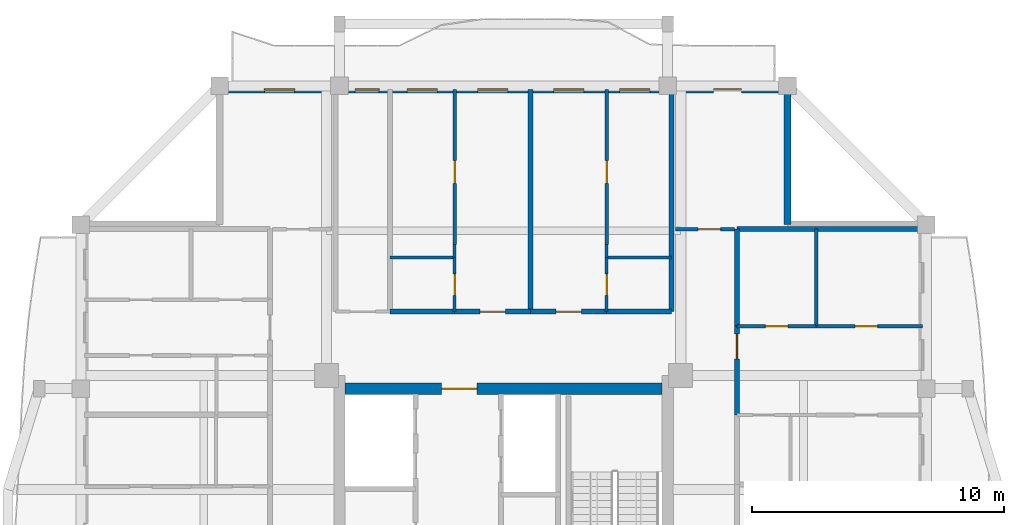
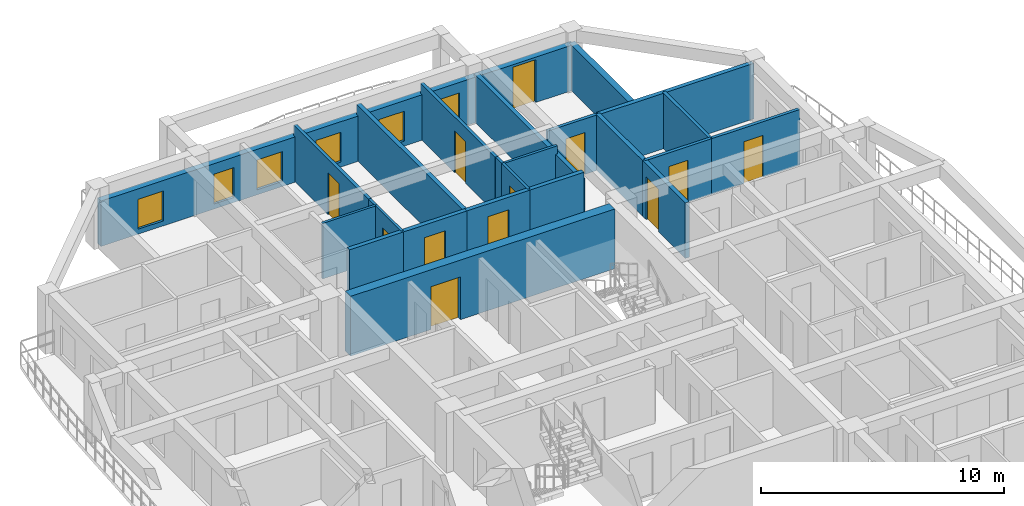
# One storey, part 7 of 14: 24 walls, 12 doors, 6 windows, 18 openings.
"""IFC4 building model written with IfcOpenShell, lengths in metres."""

from ifc_helpers import new_model, si_unit, direction, frame, frame_2d, origin, place, context, subcontext, project, spatial, rectangle, extrude, source, transform, mapped, material, layer, layer_set, type_object, element, fill, save


model = new_model("IFC4")

# Units and contexts
model_context = context("Model", 3, precision=1e-05, world=origin(), true_north=direction((0.0, 1.0)))
body_context = subcontext(model_context, "Body", "Model", "MODEL_VIEW")
ifc_project = project(units=[si_unit("LENGTHUNIT", "METRE"), si_unit("AREAUNIT", "SQUARE_METRE"), si_unit("VOLUMEUNIT", "CUBIC_METRE"), si_unit("PLANEANGLEUNIT", "RADIAN"), si_unit("MASSUNIT", "GRAM", prefix="KILO")], contexts=[model_context])

# Site, building, storey
site_placement = place(None, origin())
site = spatial("IfcSite", under=ifc_project, at=site_placement, CompositionType="ELEMENT")
building_placement = place(site_placement, origin())
building = spatial("IfcBuilding", under=site, at=building_placement, Name="Saelheon Loggia Tower", CompositionType="ELEMENT")
storey_placement = place(building_placement, frame((0.0, 0.0, 233.10009765625)))
storey = spatial("IfcBuildingStorey", under=building, at=storey_placement, Name="L72", CompositionType="ELEMENT", Elevation=233.10009765625)

# Wall, opening, door
ifc_material_1 = material(Name="Concrete C45/55", Category="concrete")
ifc_layer_1 = layer(ifc_material_1, 0.449951171875)
ifc_layer_set_1 = layer_set([ifc_layer_1], Name="Concrete C45/55")
wall_type_1 = type_object("IfcWallType", Name="Wall_CoreShear_450", PredefinedType="SHEAR", material=ifc_layer_set_1)
wall_1_placement = place(storey_placement, frame((31.72509765625, 36.0, 0.0), z_axis=(0.0, 0.0, 1.0), x_axis=(1.0, 0.0, 0.0)))
wall_1 = element("IfcWall", 1, at=wall_1_placement, inside=storey, type_object=wall_type_1, Name="L72 Core Shear Wall North", PredefinedType="SHEAR", context=body_context, shape_type="SweptSolid", body=[
    extrude(rectangle(XDim=12.5498046875, YDim=0.449951171875, at=frame_2d((6.27490234375, 0.0))), origin(), (0.0, 0.0, 1.0), 3.0),
])
opening_1_placement = place(wall_1_placement, frame((5.224853515625, 0.0, 0.0), z_axis=(0.0, 0.0, 1.0), x_axis=(-1.0, 0.0, 0.0)))
opening_1 = element("IfcOpeningElement", 2, at=opening_1_placement, cuts=wall_1, Name="Opening D-FD2L", PredefinedType="OPENING", context=body_context, shape_type="SweptSolid", body=[
    extrude(rectangle(XDim=1.39990234375, YDim=2.14990234375, at=frame_2d((0.699951171875, 1.074951171875))), frame((0.0, 0.237060546875, 0.0), z_axis=(0.0, -1.0, 0.0), x_axis=(1.0, 0.0, 0.0)), (0.0, 0.0, 1.0), 0.473876953125),
])
ifc_material_2 = material(Name="Galvanised Steel Glazed Lobby Fire Door", Category="steel")
door_type_1 = type_object("IfcDoorType", Name="Door_Fire_FD60_1400", OperationType="NOTDEFINED", PredefinedType="DOOR", material=ifc_material_2)
shared_shape_1 = source(origin(), body_context, "Body", "SweptSolid", [
    extrude(rectangle(XDim=1.39990234375, YDim=2.14990234375, at=frame_2d((0.699951171875, 1.074951171875))), frame((0.0, 0.02490234375, 0.0), z_axis=(0.0, -1.0, 0.0), x_axis=(1.0, 0.0, 0.0)), (0.0, 0.0, 1.0), 0.050048828125),
])
door_1_placement = place(opening_1_placement, origin())
door_1 = element("IfcDoor", 3, at=door_1_placement, inside=storey, type_object=door_type_1, Name="L72 Passenger Lift Lobby Main Door", OperationType="SINGLE_SWING_RIGHT", OverallHeight=2.14990234375, OverallWidth=1.39990234375, PredefinedType="DOOR", context=body_context, shape_type="MappedRepresentation", body=[
    mapped(shared_shape_1, transform((0.0, 0.0, 0.0), scale=1.0)),
])
fill(opening_1, door_1)

# Wall, openings, windows, door
ifc_material_3 = material(Name="Architectural Precast Concrete C40/50", Category="concrete")
ifc_layer_2 = layer(ifc_material_3, 0.280029296875)
ifc_layer_set_2 = layer_set([ifc_layer_2], Name="Architectural Precast Concrete C40/50")
wall_type_2 = type_object("IfcWallType", Name="Wall_Ext_Loggia_280", PredefinedType="SOLIDWALL", material=ifc_layer_set_2)
wall_2_placement = place(storey_placement, frame((26.75, 47.860107421875, 0.0), z_axis=(0.0, 0.0, 1.0), x_axis=(1.0, 0.0, 0.0)))
wall_2 = element("IfcWall", 4, at=wall_2_placement, inside=storey, type_object=wall_type_2, Name="L72 North Loggia Inner Wall", PredefinedType="SOLIDWALL", context=body_context, shape_type="SweptSolid", body=[
    extrude(rectangle(XDim=22.5, YDim=0.280029296875, at=frame_2d((11.25, 0.0))), origin(), (0.0, 0.0, 1.0), 2.27978515625),
])
opening_2_placement = place(wall_2_placement, frame((1.77490234375, 0.0, 0.25)))
opening_2 = element("IfcOpeningElement", 5, at=opening_2_placement, cuts=wall_2, Name="Opening WN-03", PredefinedType="OPENING", context=body_context, shape_type="SweptSolid", body=[
    extrude(rectangle(XDim=1.199951171875, YDim=1.5, at=frame_2d((0.60009765625, 0.75))), frame((0.0, 0.152099609375, 0.0), z_axis=(0.0, -1.0, 0.0), x_axis=(1.0, 0.0, 0.0)), (0.0, 0.0, 1.0), 0.303955078125),
])
opening_3_placement = place(wall_2_placement, frame((5.3701171875, 0.0, 0.25)))
opening_3 = element("IfcOpeningElement", 6, at=opening_3_placement, cuts=wall_2, Name="Opening WN-04", PredefinedType="OPENING", context=body_context, shape_type="SweptSolid", body=[
    extrude(rectangle(XDim=0.949951171875, YDim=1.5, at=frame_2d((0.47509765625, 0.75))), frame((0.0, 0.152099609375, 0.0), z_axis=(0.0, -1.0, 0.0), x_axis=(1.0, 0.0, 0.0)), (0.0, 0.0, 1.0), 0.303955078125),
])
opening_4_placement = place(wall_2_placement, frame((7.432373046875, 0.0, 0.25)))
opening_4 = element("IfcOpeningElement", 7, at=opening_4_placement, cuts=wall_2, Name="Opening WN-03", PredefinedType="OPENING", context=body_context, shape_type="SweptSolid", body=[
    extrude(rectangle(XDim=1.199951171875, YDim=1.5, at=frame_2d((0.60009765625, 0.75))), frame((0.0, 0.152099609375, 0.0), z_axis=(0.0, -1.0, 0.0), x_axis=(1.0, 0.0, 0.0)), (0.0, 0.0, 1.0), 0.303955078125),
])
opening_5_placement = place(wall_2_placement, frame((10.2197265625, 0.0, 0.25)))
opening_5 = element("IfcOpeningElement", 8, at=opening_5_placement, cuts=wall_2, Name="Opening WN-03", PredefinedType="OPENING", context=body_context, shape_type="SweptSolid", body=[
    extrude(rectangle(XDim=1.199951171875, YDim=1.5, at=frame_2d((0.60009765625, 0.75))), frame((0.0, 0.152099609375, 0.0), z_axis=(0.0, -1.0, 0.0), x_axis=(1.0, 0.0, 0.0)), (0.0, 0.0, 1.0), 0.303955078125),
])
opening_6_placement = place(wall_2_placement, frame((13.230224609375, 0.0, 0.25)))
opening_6 = element("IfcOpeningElement", 9, at=opening_6_placement, cuts=wall_2, Name="Opening WN-03", PredefinedType="OPENING", context=body_context, shape_type="SweptSolid", body=[
    extrude(rectangle(XDim=1.199951171875, YDim=1.5, at=frame_2d((0.60009765625, 0.75))), frame((0.0, 0.152099609375, 0.0), z_axis=(0.0, -1.0, 0.0), x_axis=(1.0, 0.0, 0.0)), (0.0, 0.0, 1.0), 0.303955078125),
])
opening_7_placement = place(wall_2_placement, frame((15.847900390625, 0.0, 0.25)))
opening_7 = element("IfcOpeningElement", 10, at=opening_7_placement, cuts=wall_2, Name="Opening WN-03", PredefinedType="OPENING", context=body_context, shape_type="SweptSolid", body=[
    extrude(rectangle(XDim=1.199951171875, YDim=1.5, at=frame_2d((0.60009765625, 0.75))), frame((0.0, 0.152099609375, 0.0), z_axis=(0.0, -1.0, 0.0), x_axis=(1.0, 0.0, 0.0)), (0.0, 0.0, 1.0), 0.303955078125),
])
opening_8_placement = place(wall_2_placement, frame((19.574951171875, 0.0, 0.0)))
opening_8 = element("IfcOpeningElement", 11, at=opening_8_placement, cuts=wall_2, Name="Opening TD1", PredefinedType="OPENING", context=body_context, shape_type="SweptSolid", body=[
    extrude(rectangle(XDim=1.10009765625, YDim=2.14990234375, at=frame_2d((0.550048828125, 1.074951171875))), frame((0.0, 0.152099609375, 0.0), z_axis=(0.0, -1.0, 0.0), x_axis=(1.0, 0.0, 0.0)), (0.0, 0.0, 1.0), 0.303955078125),
])
ifc_material_4 = material(Name="Thermal-Break Aluminium and Triple Low-E Glass", Category="aluminium")
window_type_1 = type_object("IfcWindowType", Name="Win_Bedroom_1200x1500", PartitioningType="SINGLE_PANEL", PredefinedType="WINDOW", material=ifc_material_4)
shared_shape_2 = source(origin(), body_context, "Body", "SweptSolid", [
    extrude(rectangle(XDim=1.199951171875, YDim=1.5, at=frame_2d((0.60009765625, 0.75))), frame((0.0, 0.030029296875, 0.0), z_axis=(0.0, -1.0, 0.0), x_axis=(1.0, 0.0, 0.0)), (0.0, 0.0, 1.0), 0.06005859375),
])
window_1_placement = place(opening_2_placement, origin())
window_1 = element("IfcWindow", 12, at=window_1_placement, inside=storey, type_object=window_type_1, Name="L72 N Dwelling Window 1", OverallHeight=1.5, OverallWidth=1.199951171875, PartitioningType="SINGLE_PANEL", PredefinedType="WINDOW", context=body_context, shape_type="MappedRepresentation", body=[
    mapped(shared_shape_2, transform((0.0, 0.0, 0.0), scale=1.0)),
])
fill(opening_2, window_1)
window_2_placement = place(opening_4_placement, origin())
window_2 = element("IfcWindow", 13, at=window_2_placement, inside=storey, type_object=window_type_1, Name="L72 N Dwelling Window 3", OverallHeight=1.5, OverallWidth=1.199951171875, PartitioningType="SINGLE_PANEL", PredefinedType="WINDOW", context=body_context, shape_type="MappedRepresentation", body=[
    mapped(shared_shape_2, transform((0.0, 0.0, 0.0), scale=1.0)),
])
fill(opening_4, window_2)
window_3_placement = place(opening_5_placement, origin())
window_3 = element("IfcWindow", 14, at=window_3_placement, inside=storey, type_object=window_type_1, Name="L72 N Dwelling Window 4", OverallHeight=1.5, OverallWidth=1.199951171875, PartitioningType="SINGLE_PANEL", PredefinedType="WINDOW", context=body_context, shape_type="MappedRepresentation", body=[
    mapped(shared_shape_2, transform((0.0, 0.0, 0.0), scale=1.0)),
])
fill(opening_5, window_3)
window_4_placement = place(opening_6_placement, origin())
window_4 = element("IfcWindow", 15, at=window_4_placement, inside=storey, type_object=window_type_1, Name="L72 N Dwelling Window 5", OverallHeight=1.5, OverallWidth=1.199951171875, PartitioningType="SINGLE_PANEL", PredefinedType="WINDOW", context=body_context, shape_type="MappedRepresentation", body=[
    mapped(shared_shape_2, transform((0.0, 0.0, 0.0), scale=1.0)),
])
fill(opening_6, window_4)
window_5_placement = place(opening_7_placement, origin())
window_5 = element("IfcWindow", 16, at=window_5_placement, inside=storey, type_object=window_type_1, Name="L72 N Dwelling Window 6", OverallHeight=1.5, OverallWidth=1.199951171875, PartitioningType="SINGLE_PANEL", PredefinedType="WINDOW", context=body_context, shape_type="MappedRepresentation", body=[
    mapped(shared_shape_2, transform((0.0, 0.0, 0.0), scale=1.0)),
])
fill(opening_7, window_5)
ifc_material_5 = material(Name="Thermal-Break Aluminium Glazed Door", Category="aluminium")
door_type_2 = type_object("IfcDoorType", Name="Door_Terrace_TD1", OperationType="NOTDEFINED", PredefinedType="DOOR", material=ifc_material_5)
shared_shape_3 = source(origin(), body_context, "Body", "SweptSolid", [
    extrude(rectangle(XDim=1.10009765625, YDim=2.14990234375, at=frame_2d((0.550048828125, 1.074951171875))), frame((0.0, 0.02490234375, 0.0), z_axis=(0.0, -1.0, 0.0), x_axis=(1.0, 0.0, 0.0)), (0.0, 0.0, 1.0), 0.050048828125),
])
door_2_placement = place(opening_8_placement, origin())
door_2 = element("IfcDoor", 17, at=door_2_placement, inside=storey, type_object=door_type_2, Name="L72 N Loggia Access Door", OperationType="SINGLE_SWING_LEFT", OverallHeight=2.14990234375, OverallWidth=1.10009765625, PredefinedType="DOOR", context=body_context, shape_type="MappedRepresentation", body=[
    mapped(shared_shape_3, transform((0.0, 0.0, 0.0), scale=1.0)),
])
fill(opening_8, door_2)
window_type_2 = type_object("IfcWindowType", Name="Win_Narrow_950x1500", PartitioningType="SINGLE_PANEL", PredefinedType="WINDOW", material=ifc_material_4)
shared_shape_4 = source(origin(), body_context, "Body", "SweptSolid", [
    extrude(rectangle(XDim=0.949951171875, YDim=1.5, at=frame_2d((0.47509765625, 0.75))), frame((0.0, 0.030029296875, 0.0), z_axis=(0.0, -1.0, 0.0), x_axis=(1.0, 0.0, 0.0)), (0.0, 0.0, 1.0), 0.06005859375),
])
window_6_placement = place(opening_3_placement, origin())
window_6 = element("IfcWindow", 18, at=window_6_placement, inside=storey, type_object=window_type_2, Name="L72 N Dwelling Window 2", OverallHeight=1.5, OverallWidth=0.949951171875, PartitioningType="SINGLE_PANEL", PredefinedType="WINDOW", context=body_context, shape_type="MappedRepresentation", body=[
    mapped(shared_shape_4, transform((0.0, 0.0, 0.0), scale=1.0)),
])
fill(opening_3, window_6)

# Wall
wall_3_placement = place(storey_placement, frame((49.25, 42.5, 0.0), z_axis=(0.0, 0.0, 1.0), x_axis=(0.0, 1.0, 0.0)))
element("IfcWall", 19, at=wall_3_placement, inside=storey, type_object=wall_type_2, Name="L72 Corner Notch Precast Wall NE1", PredefinedType="SOLIDWALL", context=body_context, shape_type="SweptSolid", body=[
    extrude(rectangle(XDim=5.419921875, YDim=0.280029296875, at=frame_2d((2.7099609375, 0.0))), origin(), (0.0, 0.0, 1.0), 2.27978515625),
])

# Wall, opening, door
ifc_material_6 = material(Name="Lightweight Autoclaved Aerated Concrete Block and Acoustic Gypsum", Category="concrete")
ifc_layer_3 = layer(ifc_material_6, 0.14990234375)
ifc_layer_set_3 = layer_set([ifc_layer_3], Name="Lightweight Autoclaved Aerated Concrete Block and Acoustic Gypsum")
wall_type_3 = type_object("IfcWallType", Name="Wall_Part_150", PredefinedType="PARTITIONING", material=ifc_layer_set_3)
wall_4_placement = place(storey_placement, frame((44.820068359375, 42.320068359375, 0.0), z_axis=(0.0, 0.0, 1.0), x_axis=(1.0, 0.0, 0.0)))
wall_4 = element("IfcWall", 20, at=wall_4_placement, inside=storey, type_object=wall_type_3, Name="PW-L72-CNE-H", PredefinedType="PARTITIONING", context=body_context, shape_type="SweptSolid", body=[
    extrude(rectangle(XDim=2.329833984375, YDim=0.14990234375, at=frame_2d((1.1650390625, 0.0))), origin(), (0.0, 0.0, 1.0), 2.789794921875),
])
opening_9_placement = place(wall_4_placement, frame((0.8798828125, 0.0, 0.0)))
opening_9 = element("IfcOpeningElement", 21, at=opening_9_placement, cuts=wall_4, Name="Opening D-IN2", PredefinedType="OPENING", context=body_context, shape_type="SweptSolid", body=[
    extrude(rectangle(XDim=0.89990234375, YDim=2.10009765625, at=frame_2d((0.449951171875, 1.050048828125))), frame((0.0, 0.0869140625, 0.0), z_axis=(0.0, -1.0, 0.0), x_axis=(1.0, 0.0, 0.0)), (0.0, 0.0, 1.0), 0.173828125),
])
ifc_material_7 = material(Name="Engineered Oak Flush Door", Category="timber")
door_type_3 = type_object("IfcDoorType", Name="Door_Int_900", OperationType="NOTDEFINED", PredefinedType="DOOR", material=ifc_material_7)
shared_shape_5 = source(origin(), body_context, "Body", "SweptSolid", [
    extrude(rectangle(XDim=0.89990234375, YDim=2.10009765625, at=frame_2d((0.449951171875, 1.050048828125))), frame((0.0, 0.02490234375, 0.0), z_axis=(0.0, -1.0, 0.0), x_axis=(1.0, 0.0, 0.0)), (0.0, 0.0, 1.0), 0.050048828125),
])
door_3_placement = place(opening_9_placement, origin())
door_3 = element("IfcDoor", 22, at=door_3_placement, inside=storey, type_object=door_type_3, Name="L72 Corner Reading Room NE Door", OperationType="SINGLE_SWING_RIGHT", OverallHeight=2.10009765625, OverallWidth=0.89990234375, PredefinedType="DOOR", context=body_context, shape_type="MappedRepresentation", body=[
    mapped(shared_shape_5, transform((0.0, 0.0, 0.0), scale=1.0)),
])
fill(opening_9, door_3)

wall_5_placement = place(storey_placement, frame((36.064453125, 41.7099609375, 0.0), z_axis=(0.0, 0.0, 1.0), x_axis=(0.0, 1.0, 0.0)))
wall_5 = element("IfcWall", 23, at=wall_5_placement, inside=storey, type_object=wall_type_3, Name="L72 N Partition U10", PredefinedType="PARTITIONING", context=body_context, shape_type="SweptSolid", body=[
    extrude(rectangle(XDim=6.14013671875, YDim=0.14990234375, at=frame_2d((3.070068359375, 0.0))), origin(), (0.0, 0.0, 1.0), 2.789794921875),
])
opening_10_placement = place(wall_5_placement, frame((2.421630859375, 0.0, 0.0)))
opening_10 = element("IfcOpeningElement", 24, at=opening_10_placement, cuts=wall_5, Name="Opening D-IN2", PredefinedType="OPENING", context=body_context, shape_type="SweptSolid", body=[
    extrude(rectangle(XDim=0.89990234375, YDim=2.10009765625, at=frame_2d((0.449951171875, 1.050048828125))), frame((0.0, 0.0869140625, 0.0), z_axis=(0.0, -1.0, 0.0), x_axis=(1.0, 0.0, 0.0)), (0.0, 0.0, 1.0), 0.173828125),
])
door_4_placement = place(opening_10_placement, origin())
door_4 = element("IfcDoor", 25, at=door_4_placement, inside=storey, type_object=door_type_3, Name="Unit U03 Kitchen Door", OperationType="SINGLE_SWING_RIGHT", OverallHeight=2.10009765625, OverallWidth=0.89990234375, PredefinedType="DOOR", context=body_context, shape_type="MappedRepresentation", body=[
    mapped(shared_shape_5, transform((0.0, 0.0, 0.0), scale=1.0)),
])
fill(opening_10, door_4)

wall_6_placement = place(storey_placement, frame((42.08544921875, 41.7099609375, 0.0), z_axis=(0.0, 0.0, 1.0), x_axis=(0.0, 1.0, 0.0)))
wall_6 = element("IfcWall", 26, at=wall_6_placement, inside=storey, type_object=wall_type_3, Name="L72 N Partition U17", PredefinedType="PARTITIONING", context=body_context, shape_type="SweptSolid", body=[
    extrude(rectangle(XDim=6.14013671875, YDim=0.14990234375, at=frame_2d((3.070068359375, 0.0))), origin(), (0.0, 0.0, 1.0), 2.789794921875),
])
opening_11_placement = place(wall_6_placement, frame((2.421630859375, 0.0, 0.0)))
opening_11 = element("IfcOpeningElement", 27, at=opening_11_placement, cuts=wall_6, Name="Opening D-IN2", PredefinedType="OPENING", context=body_context, shape_type="SweptSolid", body=[
    extrude(rectangle(XDim=0.89990234375, YDim=2.10009765625, at=frame_2d((0.449951171875, 1.050048828125))), frame((0.0, 0.0869140625, 0.0), z_axis=(0.0, -1.0, 0.0), x_axis=(1.0, 0.0, 0.0)), (0.0, 0.0, 1.0), 0.173828125),
])
door_5_placement = place(opening_11_placement, origin())
door_5 = element("IfcDoor", 28, at=door_5_placement, inside=storey, type_object=door_type_3, Name="Unit U04 Kitchen Door", OperationType="SINGLE_SWING_LEFT", OverallHeight=2.10009765625, OverallWidth=0.89990234375, PredefinedType="DOOR", context=body_context, shape_type="MappedRepresentation", body=[
    mapped(shared_shape_5, transform((0.0, 0.0, 0.0), scale=1.0)),
])
fill(opening_11, door_5)

# Wall
wall_7_placement = place(storey_placement, frame((50.389892578125, 38.477783203125, 0.0), z_axis=(0.0, 0.0, 1.0), x_axis=(0.0, 1.0, 0.0)))
element("IfcWall", 29, at=wall_7_placement, inside=storey, type_object=wall_type_3, Name="L72 E Partition V29", PredefinedType="PARTITIONING", context=body_context, shape_type="SweptSolid", body=[
    extrude(rectangle(XDim=3.84228515625, YDim=0.14990234375, at=frame_2d((1.921142578125, 0.0))), origin(), (0.0, 0.0, 1.0), 2.789794921875),
])

# Wall, opening, door
wall_8_placement = place(storey_placement, frame((47.25, 38.477783203125, 0.0), z_axis=(0.0, 0.0, 1.0), x_axis=(1.0, 0.0, 0.0)))
wall_8 = element("IfcWall", 30, at=wall_8_placement, inside=storey, type_object=wall_type_3, Name="L72 E Partition U33", PredefinedType="PARTITIONING", context=body_context, shape_type="SweptSolid", body=[
    extrude(rectangle(XDim=3.139892578125, YDim=0.14990234375, at=frame_2d((1.56982421875, 0.0))), origin(), (0.0, 0.0, 1.0), 2.789794921875),
])
opening_12_placement = place(wall_8_placement, frame((1.1201171875, 0.0, 0.0)))
opening_12 = element("IfcOpeningElement", 31, at=opening_12_placement, cuts=wall_8, Name="Opening D-IN2", PredefinedType="OPENING", context=body_context, shape_type="SweptSolid", body=[
    extrude(rectangle(XDim=0.89990234375, YDim=2.10009765625, at=frame_2d((0.449951171875, 1.050048828125))), frame((0.0, 0.0869140625, 0.0), z_axis=(0.0, -1.0, 0.0), x_axis=(1.0, 0.0, 0.0)), (0.0, 0.0, 1.0), 0.173828125),
])
door_6_placement = place(opening_12_placement, origin())
door_6 = element("IfcDoor", 32, at=door_6_placement, inside=storey, type_object=door_type_3, Name="Unit U11 Private Study Door", OperationType="SINGLE_SWING_LEFT", OverallHeight=2.10009765625, OverallWidth=0.89990234375, PredefinedType="DOOR", context=body_context, shape_type="MappedRepresentation", body=[
    mapped(shared_shape_5, transform((0.0, 0.0, 0.0), scale=1.0)),
])
fill(opening_12, door_6)

wall_9_placement = place(storey_placement, frame((50.389892578125, 38.477783203125, 0.0), z_axis=(0.0, 0.0, 1.0), x_axis=(1.0, 0.0, 0.0)))
wall_9 = element("IfcWall", 33, at=wall_9_placement, inside=storey, type_object=wall_type_3, Name="L72 E Partition U34", PredefinedType="PARTITIONING", context=body_context, shape_type="SweptSolid", body=[
    extrude(rectangle(XDim=4.210205078125, YDim=0.14990234375, at=frame_2d((2.10498046875, 0.0))), origin(), (0.0, 0.0, 1.0), 2.789794921875),
])
opening_13_placement = place(wall_9_placement, frame((1.537109375, 0.0, 0.0)))
opening_13 = element("IfcOpeningElement", 34, at=opening_13_placement, cuts=wall_9, Name="Opening D-IN2", PredefinedType="OPENING", context=body_context, shape_type="SweptSolid", body=[
    extrude(rectangle(XDim=0.89990234375, YDim=2.10009765625, at=frame_2d((0.449951171875, 1.050048828125))), frame((0.0, 0.0869140625, 0.0), z_axis=(0.0, -1.0, 0.0), x_axis=(1.0, 0.0, 0.0)), (0.0, 0.0, 1.0), 0.173828125),
])
door_7_placement = place(opening_13_placement, origin())
door_7 = element("IfcDoor", 35, at=door_7_placement, inside=storey, type_object=door_type_3, Name="Unit U11 Bedroom 1 Door", OperationType="SINGLE_SWING_RIGHT", OverallHeight=2.10009765625, OverallWidth=0.89990234375, PredefinedType="DOOR", context=body_context, shape_type="MappedRepresentation", body=[
    mapped(shared_shape_5, transform((0.0, 0.0, 0.0), scale=1.0)),
])
fill(opening_13, door_7)

# Walls
ifc_material_8 = material(Name="Double Acoustic Stud and Fireboard Partition", Category="gypsum")
ifc_layer_4 = layer(ifc_material_8, 0.199951171875)
ifc_layer_set_4 = layer_set([ifc_layer_4], Name="Double Acoustic Stud and Fireboard Partition")
wall_type_4 = type_object("IfcWallType", Name="Wall_Party_200", PredefinedType="PARTITIONING", material=ifc_layer_set_4)
wall_10_placement = place(storey_placement, frame((44.64990234375, 39.050048828125, 0.0), z_axis=(0.0, 0.0, 1.0), x_axis=(0.0, 1.0, 0.0)))
element("IfcWall", 36, at=wall_10_placement, inside=storey, type_object=wall_type_4, Name="L72 N Partition U02", PredefinedType="PARTITIONING", context=body_context, shape_type="SweptSolid", body=[
    extrude(rectangle(XDim=8.800048828125, YDim=0.199951171875, at=frame_2d((4.39990234375, 0.0))), origin(), (0.0, 0.0, 1.0), 2.389892578125),
])
wall_11_placement = place(storey_placement, frame((33.5, 39.050048828125, 0.0), z_axis=(0.0, 0.0, 1.0), x_axis=(1.0, 0.0, 0.0)))
element("IfcWall", 37, at=wall_11_placement, inside=storey, type_object=wall_type_4, Name="L72 N Partition V05", PredefinedType="PARTITIONING", context=body_context, shape_type="SweptSolid", body=[
    extrude(rectangle(XDim=2.564453125, YDim=0.199951171875, at=frame_2d((1.2822265625, 0.0))), origin(), (0.0, 0.0, 1.0), 2.789794921875),
])

# Wall, opening, door
wall_12_placement = place(storey_placement, frame((36.064453125, 39.050048828125, 0.0), z_axis=(0.0, 0.0, 1.0), x_axis=(1.0, 0.0, 0.0)))
wall_12 = element("IfcWall", 38, at=wall_12_placement, inside=storey, type_object=wall_type_4, Name="L72 N Partition V06", PredefinedType="PARTITIONING", context=body_context, shape_type="SweptSolid", body=[
    extrude(rectangle(XDim=3.010498046875, YDim=0.199951171875, at=frame_2d((1.50537109375, 0.0))), origin(), (0.0, 0.0, 1.0), 2.789794921875),
])
opening_14_placement = place(wall_12_placement, frame((1.00537109375, 0.0, 0.0)))
opening_14 = element("IfcOpeningElement", 39, at=opening_14_placement, cuts=wall_12, Name="Opening D-FD1", PredefinedType="OPENING", context=body_context, shape_type="SweptSolid", body=[
    extrude(rectangle(XDim=1.0, YDim=2.14990234375, at=frame_2d((0.5, 1.074951171875))), frame((0.0, 0.112060546875, 0.0), z_axis=(0.0, -1.0, 0.0), x_axis=(1.0, 0.0, 0.0)), (0.0, 0.0, 1.0), 0.223876953125),
])
ifc_material_9 = material(Name="Fire-Rated Engineered Timber Entrance Door", Category="wood")
door_type_4 = type_object("IfcDoorType", Name="Door_Flat_FD30S", OperationType="NOTDEFINED", PredefinedType="DOOR", material=ifc_material_9)
shared_shape_6 = source(origin(), body_context, "Body", "SweptSolid", [
    extrude(rectangle(XDim=1.0, YDim=2.14990234375, at=frame_2d((0.5, 1.074951171875))), frame((0.0, 0.02490234375, 0.0), z_axis=(0.0, -1.0, 0.0), x_axis=(1.0, 0.0, 0.0)), (0.0, 0.0, 1.0), 0.050048828125),
])
door_8_placement = place(opening_14_placement, origin())
door_8 = element("IfcDoor", 40, at=door_8_placement, inside=storey, type_object=door_type_4, Name="Unit U03 Entrance Door", OperationType="SINGLE_SWING_RIGHT", OverallHeight=2.14990234375, OverallWidth=1.0, PredefinedType="DOOR", context=body_context, shape_type="MappedRepresentation", body=[
    mapped(shared_shape_6, transform((0.0, 0.0, 0.0), scale=1.0)),
])
fill(opening_14, door_8)

# Wall
wall_13_placement = place(storey_placement, frame((39.074951171875, 39.050048828125, 0.0), z_axis=(0.0, 0.0, 1.0), x_axis=(0.0, 1.0, 0.0)))
element("IfcWall", 41, at=wall_13_placement, inside=storey, type_object=wall_type_4, Name="L72 N Partition U11", PredefinedType="PARTITIONING", context=body_context, shape_type="SweptSolid", body=[
    extrude(rectangle(XDim=8.800048828125, YDim=0.199951171875, at=frame_2d((4.39990234375, 0.0))), origin(), (0.0, 0.0, 1.0), 2.789794921875),
])

# Wall, opening, door
wall_14_placement = place(storey_placement, frame((39.074951171875, 39.050048828125, 0.0), z_axis=(0.0, 0.0, 1.0), x_axis=(1.0, 0.0, 0.0)))
wall_14 = element("IfcWall", 42, at=wall_14_placement, inside=storey, type_object=wall_type_4, Name="L72 N Partition V12", PredefinedType="PARTITIONING", context=body_context, shape_type="SweptSolid", body=[
    extrude(rectangle(XDim=3.010498046875, YDim=0.199951171875, at=frame_2d((1.50537109375, 0.0))), origin(), (0.0, 0.0, 1.0), 2.789794921875),
])
opening_15_placement = place(wall_14_placement, frame((1.00537109375, 0.0, 0.0)))
opening_15 = element("IfcOpeningElement", 43, at=opening_15_placement, cuts=wall_14, Name="Opening D-FD1", PredefinedType="OPENING", context=body_context, shape_type="SweptSolid", body=[
    extrude(rectangle(XDim=1.0, YDim=2.14990234375, at=frame_2d((0.5, 1.074951171875))), frame((0.0, 0.112060546875, 0.0), z_axis=(0.0, -1.0, 0.0), x_axis=(1.0, 0.0, 0.0)), (0.0, 0.0, 1.0), 0.223876953125),
])
door_9_placement = place(opening_15_placement, origin())
door_9 = element("IfcDoor", 44, at=door_9_placement, inside=storey, type_object=door_type_4, Name="Unit U04 Entrance Door", OperationType="SINGLE_SWING_LEFT", OverallHeight=2.14990234375, OverallWidth=1.0, PredefinedType="DOOR", context=body_context, shape_type="MappedRepresentation", body=[
    mapped(shared_shape_6, transform((0.0, 0.0, 0.0), scale=1.0)),
])
fill(opening_15, door_9)

# Walls
wall_15_placement = place(storey_placement, frame((42.08544921875, 39.050048828125, 0.0), z_axis=(0.0, 0.0, 1.0), x_axis=(1.0, 0.0, 0.0)))
element("IfcWall", 45, at=wall_15_placement, inside=storey, type_object=wall_type_4, Name="L72 N Partition V13", PredefinedType="PARTITIONING", context=body_context, shape_type="SweptSolid", body=[
    extrude(rectangle(XDim=2.564453125, YDim=0.199951171875, at=frame_2d((1.2822265625, 0.0))), origin(), (0.0, 0.0, 1.0), 2.789794921875),
])
wall_16_placement = place(storey_placement, frame((47.25, 42.320068359375, 0.0), z_axis=(0.0, 0.0, 1.0), x_axis=(1.0, 0.0, 0.0)))
element("IfcWall", 46, at=wall_16_placement, inside=storey, type_object=wall_type_4, Name="L72 E Partition U02", PredefinedType="PARTITIONING", context=body_context, shape_type="SweptSolid", body=[
    extrude(rectangle(XDim=7.35009765625, YDim=0.199951171875, at=frame_2d((3.675048828125, 0.0))), origin(), (0.0, 0.0, 1.0), 2.789794921875),
])

# Wall, opening, door
wall_17_placement = place(storey_placement, frame((47.25, 34.958740234375, 0.0), z_axis=(0.0, 0.0, 1.0), x_axis=(0.0, 1.0, 0.0)))
wall_17 = element("IfcWall", 47, at=wall_17_placement, inside=storey, type_object=wall_type_4, Name="L72 E Partition V26", PredefinedType="PARTITIONING", context=body_context, shape_type="SweptSolid", body=[
    extrude(rectangle(XDim=3.51904296875, YDim=0.199951171875, at=frame_2d((1.759521484375, 0.0))), origin(), (0.0, 0.0, 1.0), 2.789794921875),
])
opening_16_placement = place(wall_17_placement, frame((2.21728515625, 0.0, 0.0)))
opening_16 = element("IfcOpeningElement", 48, at=opening_16_placement, cuts=wall_17, Name="Opening D-FD1", PredefinedType="OPENING", context=body_context, shape_type="SweptSolid", body=[
    extrude(rectangle(XDim=1.0, YDim=2.14990234375, at=frame_2d((0.5, 1.074951171875))), frame((0.0, 0.112060546875, 0.0), z_axis=(0.0, -1.0, 0.0), x_axis=(1.0, 0.0, 0.0)), (0.0, 0.0, 1.0), 0.223876953125),
])
door_10_placement = place(opening_16_placement, origin())
door_10 = element("IfcDoor", 49, at=door_10_placement, inside=storey, type_object=door_type_4, Name="Unit U11 Entrance Door", OperationType="SINGLE_SWING_RIGHT", OverallHeight=2.14990234375, OverallWidth=1.0, PredefinedType="DOOR", context=body_context, shape_type="MappedRepresentation", body=[
    mapped(shared_shape_6, transform((0.0, 0.0, 0.0), scale=1.0)),
])
fill(opening_16, door_10)

# Wall
wall_18_placement = place(storey_placement, frame((47.25, 38.477783203125, 0.0), z_axis=(0.0, 0.0, 1.0), x_axis=(0.0, 1.0, 0.0)))
element("IfcWall", 50, at=wall_18_placement, inside=storey, type_object=wall_type_4, Name="L72 E Partition V27", PredefinedType="PARTITIONING", context=body_context, shape_type="SweptSolid", body=[
    extrude(rectangle(XDim=3.84228515625, YDim=0.199951171875, at=frame_2d((1.921142578125, 0.0))), origin(), (0.0, 0.0, 1.0), 2.789794921875),
])

# Wall, opening, door
ifc_material_10 = material(Name="Moisture-Resistant Cement Board Partition", Category="gypsum")
ifc_layer_5 = layer(ifc_material_10, 0.1201171875)
ifc_layer_set_5 = layer_set([ifc_layer_5], Name="Moisture-Resistant Cement Board Partition")
wall_type_5 = type_object("IfcWallType", Name="Wall_WetPart_120", PredefinedType="PARTITIONING", material=ifc_layer_set_5)
wall_19_placement = place(storey_placement, frame((36.064453125, 39.050048828125, 0.0), z_axis=(0.0, 0.0, 1.0), x_axis=(0.0, 1.0, 0.0)))
wall_19 = element("IfcWall", 51, at=wall_19_placement, inside=storey, type_object=wall_type_5, Name="L72 N Partition U07", PredefinedType="PARTITIONING", context=body_context, shape_type="SweptSolid", body=[
    extrude(rectangle(XDim=2.14990234375, YDim=0.1201171875, at=frame_2d((1.074951171875, 0.0))), origin(), (0.0, 0.0, 1.0), 2.789794921875),
])
opening_17_placement = place(wall_19_placement, frame((0.64990234375, 0.0, 0.0)))
opening_17 = element("IfcOpeningElement", 52, at=opening_17_placement, cuts=wall_19, Name="Opening D-BT1", PredefinedType="OPENING", context=body_context, shape_type="SweptSolid", body=[
    extrude(rectangle(XDim=0.85009765625, YDim=2.050048828125, at=frame_2d((0.425048828125, 1.02490234375))), frame((0.0, 0.072021484375, 0.0), z_axis=(0.0, -1.0, 0.0), x_axis=(1.0, 0.0, 0.0)), (0.0, 0.0, 1.0), 0.14404296875),
])
ifc_material_11 = material(Name="Moisture-Resistant Laminate Timber Door", Category="wood")
door_type_5 = type_object("IfcDoorType", Name="Door_Bath_850", OperationType="NOTDEFINED", PredefinedType="DOOR", material=ifc_material_11)
shared_shape_7 = source(origin(), body_context, "Body", "SweptSolid", [
    extrude(rectangle(XDim=0.85009765625, YDim=2.050048828125, at=frame_2d((0.425048828125, 1.02490234375))), frame((0.0, 0.02490234375, 0.0), z_axis=(0.0, -1.0, 0.0), x_axis=(1.0, 0.0, 0.0)), (0.0, 0.0, 1.0), 0.050048828125),
])
door_11_placement = place(opening_17_placement, origin())
door_11 = element("IfcDoor", 53, at=door_11_placement, inside=storey, type_object=door_type_5, Name="Unit U03 Bathroom Door", OperationType="SINGLE_SWING_LEFT", OverallHeight=2.050048828125, OverallWidth=0.85009765625, PredefinedType="DOOR", context=body_context, shape_type="MappedRepresentation", body=[
    mapped(shared_shape_7, transform((0.0, 0.0, 0.0), scale=1.0)),
])
fill(opening_17, door_11)

# Walls
wall_20_placement = place(storey_placement, frame((36.064453125, 41.199951171875, 0.0), z_axis=(0.0, 0.0, 1.0), x_axis=(0.0, 1.0, 0.0)))
element("IfcWall", 54, at=wall_20_placement, inside=storey, type_object=wall_type_5, Name="L72 N Partition U08", PredefinedType="PARTITIONING", context=body_context, shape_type="SweptSolid", body=[
    extrude(rectangle(XDim=0.510009765625, YDim=0.1201171875, at=frame_2d((0.2548828125, 0.0))), origin(), (0.0, 0.0, 1.0), 2.789794921875),
])
wall_21_placement = place(storey_placement, frame((33.5, 41.199951171875, 0.0), z_axis=(0.0, 0.0, 1.0), x_axis=(1.0, 0.0, 0.0)))
element("IfcWall", 55, at=wall_21_placement, inside=storey, type_object=wall_type_5, Name="L72 N Partition V09", PredefinedType="PARTITIONING", context=body_context, shape_type="SweptSolid", body=[
    extrude(rectangle(XDim=2.564453125, YDim=0.1201171875, at=frame_2d((1.2822265625, 0.0))), origin(), (0.0, 0.0, 1.0), 2.789794921875),
])

# Wall, opening, door
wall_22_placement = place(storey_placement, frame((42.08544921875, 39.050048828125, 0.0), z_axis=(0.0, 0.0, 1.0), x_axis=(0.0, 1.0, 0.0)))
wall_22 = element("IfcWall", 56, at=wall_22_placement, inside=storey, type_object=wall_type_5, Name="L72 N Partition U14", PredefinedType="PARTITIONING", context=body_context, shape_type="SweptSolid", body=[
    extrude(rectangle(XDim=2.14990234375, YDim=0.1201171875, at=frame_2d((1.074951171875, 0.0))), origin(), (0.0, 0.0, 1.0), 2.789794921875),
])
opening_18_placement = place(wall_22_placement, frame((0.64990234375, 0.0, 0.0)))
opening_18 = element("IfcOpeningElement", 57, at=opening_18_placement, cuts=wall_22, Name="Opening D-BT1", PredefinedType="OPENING", context=body_context, shape_type="SweptSolid", body=[
    extrude(rectangle(XDim=0.85009765625, YDim=2.050048828125, at=frame_2d((0.425048828125, 1.02490234375))), frame((0.0, 0.072021484375, 0.0), z_axis=(0.0, -1.0, 0.0), x_axis=(1.0, 0.0, 0.0)), (0.0, 0.0, 1.0), 0.14404296875),
])
door_12_placement = place(opening_18_placement, origin())
door_12 = element("IfcDoor", 58, at=door_12_placement, inside=storey, type_object=door_type_5, Name="Unit U04 Bathroom Door", OperationType="SINGLE_SWING_RIGHT", OverallHeight=2.050048828125, OverallWidth=0.85009765625, PredefinedType="DOOR", context=body_context, shape_type="MappedRepresentation", body=[
    mapped(shared_shape_7, transform((0.0, 0.0, 0.0), scale=1.0)),
])
fill(opening_18, door_12)

# Walls
wall_23_placement = place(storey_placement, frame((42.08544921875, 41.199951171875, 0.0), z_axis=(0.0, 0.0, 1.0), x_axis=(0.0, 1.0, 0.0)))
element("IfcWall", 59, at=wall_23_placement, inside=storey, type_object=wall_type_5, Name="L72 N Partition U15", PredefinedType="PARTITIONING", context=body_context, shape_type="SweptSolid", body=[
    extrude(rectangle(XDim=0.510009765625, YDim=0.1201171875, at=frame_2d((0.2548828125, 0.0))), origin(), (0.0, 0.0, 1.0), 2.789794921875),
])
wall_24_placement = place(storey_placement, frame((42.08544921875, 41.199951171875, 0.0), z_axis=(0.0, 0.0, 1.0), x_axis=(1.0, 0.0, 0.0)))
element("IfcWall", 60, at=wall_24_placement, inside=storey, type_object=wall_type_5, Name="L72 N Partition V16", PredefinedType="PARTITIONING", context=body_context, shape_type="SweptSolid", body=[
    extrude(rectangle(XDim=2.564453125, YDim=0.1201171875, at=frame_2d((1.2822265625, 0.0))), origin(), (0.0, 0.0, 1.0), 2.789794921875),
])

save(model, "model.ifc")
